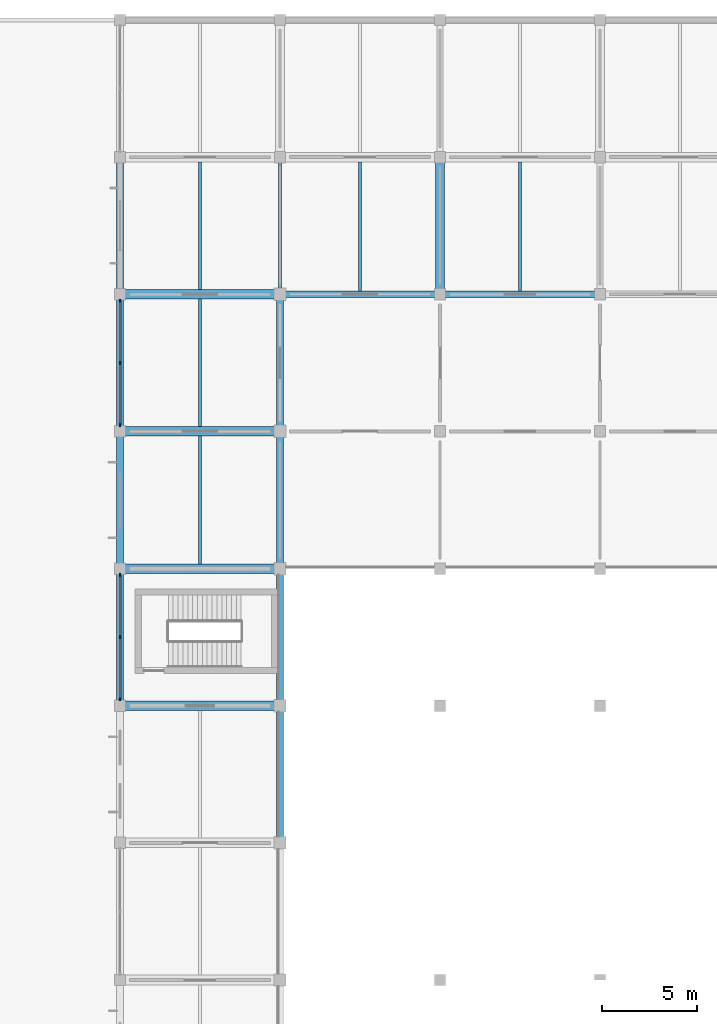
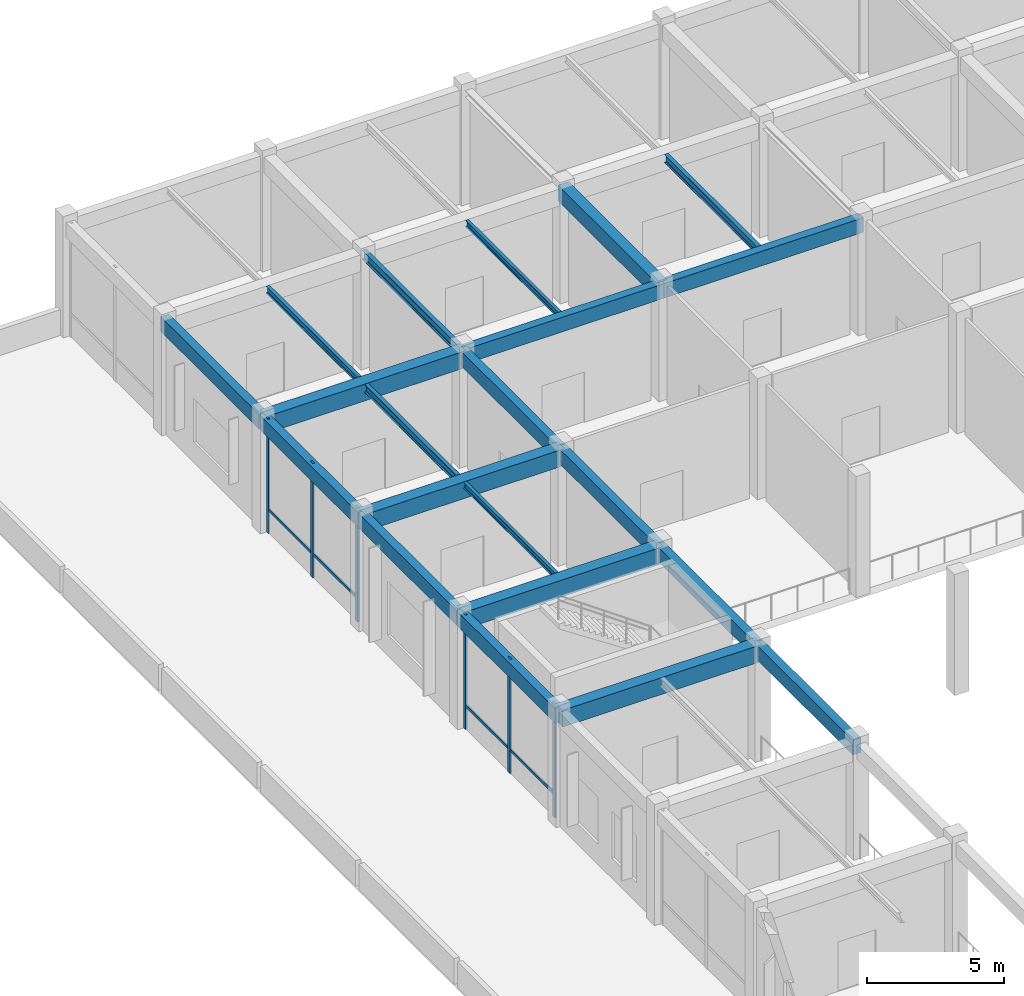
# One storey, part 5 of 38: 21 beams, 10 members, 2 elements without a shape of their own.
"""IFC4 building model written with IfcOpenShell, lengths in metres."""

from ifc_helpers import new_model, si_unit, derived_unit, direction, frame, origin, origin_2d, place, context, subcontext, project, spatial, rectangle, i_section, extrude, material, material_profile, profile_set, type_object, element, aggregate, save


model = new_model("IFC4")

# Units and contexts
model_context = context("Model", 3, precision=1e-05, world=origin(), true_north=direction((0.0, 1.0)))
body_context = subcontext(model_context, "Body", "Model", "MODEL_VIEW")
ifc_project = project(units=[si_unit("LENGTHUNIT", "METRE"), si_unit("AREAUNIT", "SQUARE_METRE"), si_unit("VOLUMEUNIT", "CUBIC_METRE"), si_unit("PLANEANGLEUNIT", "RADIAN"), si_unit("MASSUNIT", "GRAM", prefix="KILO"), derived_unit("THERMALTRANSMITTANCEUNIT", [(si_unit("MASSUNIT", "GRAM", prefix="KILO"), 1), (si_unit("TIMEUNIT", "SECOND"), -3), (si_unit("THERMODYNAMICTEMPERATUREUNIT", "KELVIN"), -1)])], contexts=[model_context])

# Site, building, storey
site_placement = place(None, origin())
site = spatial("IfcSite", under=ifc_project, at=site_placement, CompositionType="ELEMENT")
building_placement = place(site_placement, origin())
building = spatial("IfcBuilding", under=site, at=building_placement, Name="Veldstrom Oceanarium and Marine Research Institute", CompositionType="ELEMENT")
storey_placement = place(building_placement, frame((0.0, 0.0, 11.39990234375)))
storey = spatial("IfcBuildingStorey", under=building, at=storey_placement, Name="L02", CompositionType="ELEMENT", Elevation=11.39990234375)

# Curtain wall, members
ifc_material_1 = material(Name="Anodised Aluminium Framing", Category="aluminium")
curtain_wall_type = type_object("IfcCurtainWallType", Name="ARC-CW-CW06", PredefinedType="USERDEFINED", material=ifc_material_1)
curtain_wall_1_placement = place(storey_placement, origin())
curtain_wall_1 = element("IfcCurtainWall", 1, at=curtain_wall_1_placement, inside=storey, type_object=curtain_wall_type, Name="Curtain Wall CW06 CW-L02-020", ObjectType="Curtain wall", PredefinedType="USERDEFINED")
ifc_material_2 = material(Name="Anodised Aluminium Framing", Category="aluminium")
ifc_material_profile_1 = material_profile(ifc_material_2, rectangle(XDim=0.074951171875, YDim=0.179931640625, at=origin_2d()), Name="ALU-MUL-75x180")
ifc_profile_set_1 = profile_set([ifc_material_profile_1], Name="Anodised Aluminium Framing")
member_type_1 = type_object("IfcMemberType", Name="ARC-MUL-ML1", PredefinedType="MULLION", material=ifc_profile_set_1)
member_1_placement = place(storey_placement, frame((8.39990234375, 36.340087890625, 0.0), z_axis=(0.0, 0.0, 1.0), x_axis=(1.0, 0.0, 0.0)))
member_1 = element("IfcMember", 2, at=member_1_placement, type_object=member_type_1, Name="Curtain Wall Mullion CW-L02-020-MUL-1", PredefinedType="MULLION", context=body_context, shape_type="SweptSolid", body=[
    extrude(rectangle(XDim=0.074951171875, YDim=0.179931640625, at=origin_2d()), origin(), (0.0, 0.0, 1.0), 5.10009765625),
])
member_2_placement = place(storey_placement, frame((8.39990234375, 39.60009765625, 0.0), z_axis=(0.0, 0.0, 1.0), x_axis=(1.0, 0.0, 0.0)))
member_2 = element("IfcMember", 3, at=member_2_placement, type_object=member_type_1, Name="Curtain Wall Mullion CW-L02-020-MUL-2", PredefinedType="MULLION", context=body_context, shape_type="SweptSolid", body=[
    extrude(rectangle(XDim=0.074951171875, YDim=0.179931640625, at=origin_2d()), origin(), (0.0, 0.0, 1.0), 5.10009765625),
])
member_3_placement = place(storey_placement, frame((8.39990234375, 42.860107421875, 0.0), z_axis=(0.0, 0.0, 1.0), x_axis=(1.0, 0.0, 0.0)))
member_3 = element("IfcMember", 4, at=member_3_placement, type_object=member_type_1, Name="Curtain Wall Mullion CW-L02-020-MUL-3", PredefinedType="MULLION", context=body_context, shape_type="SweptSolid", body=[
    extrude(rectangle(XDim=0.074951171875, YDim=0.179931640625, at=origin_2d()), origin(), (0.0, 0.0, 1.0), 5.10009765625),
])

curtain_wall_2_placement = place(storey_placement, origin())
curtain_wall_2 = element("IfcCurtainWall", 5, at=curtain_wall_2_placement, inside=storey, type_object=curtain_wall_type, Name="Curtain Wall CW06 CW-L02-021", ObjectType="Curtain wall", PredefinedType="USERDEFINED")
member_4_placement = place(storey_placement, frame((8.39990234375, 50.739990234375, 0.0), z_axis=(0.0, 0.0, 1.0), x_axis=(1.0, 0.0, 0.0)))
member_4 = element("IfcMember", 6, at=member_4_placement, type_object=member_type_1, Name="Curtain Wall Mullion CW-L02-021-MUL-1", PredefinedType="MULLION", context=body_context, shape_type="SweptSolid", body=[
    extrude(rectangle(XDim=0.074951171875, YDim=0.179931640625, at=origin_2d()), origin(), (0.0, 0.0, 1.0), 5.10009765625),
])
member_5_placement = place(storey_placement, frame((8.39990234375, 54.0, 0.0), z_axis=(0.0, 0.0, 1.0), x_axis=(1.0, 0.0, 0.0)))
member_5 = element("IfcMember", 7, at=member_5_placement, type_object=member_type_1, Name="Curtain Wall Mullion CW-L02-021-MUL-2", PredefinedType="MULLION", context=body_context, shape_type="SweptSolid", body=[
    extrude(rectangle(XDim=0.074951171875, YDim=0.179931640625, at=origin_2d()), origin(), (0.0, 0.0, 1.0), 5.10009765625),
])
member_6_placement = place(storey_placement, frame((8.39990234375, 57.260009765625, 0.0), z_axis=(0.0, 0.0, 1.0), x_axis=(1.0, 0.0, 0.0)))
member_6 = element("IfcMember", 8, at=member_6_placement, type_object=member_type_1, Name="Curtain Wall Mullion CW-L02-021-MUL-3", PredefinedType="MULLION", context=body_context, shape_type="SweptSolid", body=[
    extrude(rectangle(XDim=0.074951171875, YDim=0.179931640625, at=origin_2d()), origin(), (0.0, 0.0, 1.0), 5.10009765625),
])

# Member
ifc_material_3 = material(Name="Anodised Aluminium Framing", Category="aluminium")
ifc_material_profile_2 = material_profile(ifc_material_3, rectangle(XDim=0.06494140625, YDim=0.1201171875, at=origin_2d()), Name="ALU-TRN-65x120")
ifc_profile_set_2 = profile_set([ifc_material_profile_2], Name="Anodised Aluminium Framing")
member_type_2 = type_object("IfcMemberType", Name="ARC-TRN-TR2", PredefinedType="USERDEFINED", material=ifc_profile_set_2)
member_7_placement = place(storey_placement, frame((8.39990234375, 36.3798828125, 1.050048828125), z_axis=(0.0, 1.0, 0.0), x_axis=(-1.0, 0.0, 0.0)))
member_7 = element("IfcMember", 9, at=member_7_placement, type_object=member_type_2, Name="Curtain Wall Transom CW-L02-020-TRN-1", ObjectType="Transom", PredefinedType="USERDEFINED", context=body_context, shape_type="SweptSolid", body=[
    extrude(rectangle(XDim=0.06494140625, YDim=0.1201171875, at=origin_2d()), origin(), (0.0, 0.0, 1.0), 3.18017578125),
])

member_8_placement = place(storey_placement, frame((8.39990234375, 39.639892578125, 1.050048828125), z_axis=(0.0, 1.0, 0.0), x_axis=(-1.0, 0.0, 0.0)))
member_8 = element("IfcMember", 10, at=member_8_placement, type_object=member_type_2, Name="Curtain Wall Transom CW-L02-020-TRN-2", ObjectType="Transom", PredefinedType="USERDEFINED", context=body_context, shape_type="SweptSolid", body=[
    extrude(rectangle(XDim=0.06494140625, YDim=0.1201171875, at=origin_2d()), origin(), (0.0, 0.0, 1.0), 3.18017578125),
])

aggregate(curtain_wall_1, [member_1, member_2, member_3, member_7, member_8])

member_9_placement = place(storey_placement, frame((8.39990234375, 50.780029296875, 1.050048828125), z_axis=(0.0, 1.0, 0.0), x_axis=(-1.0, 0.0, 0.0)))
member_9 = element("IfcMember", 11, at=member_9_placement, type_object=member_type_2, Name="Curtain Wall Transom CW-L02-021-TRN-1", ObjectType="Transom", PredefinedType="USERDEFINED", context=body_context, shape_type="SweptSolid", body=[
    extrude(rectangle(XDim=0.06494140625, YDim=0.1201171875, at=origin_2d()), origin(), (0.0, 0.0, 1.0), 3.179931640625),
])

member_10_placement = place(storey_placement, frame((8.39990234375, 54.0400390625, 1.050048828125), z_axis=(0.0, 1.0, 0.0), x_axis=(-1.0, 0.0, 0.0)))
member_10 = element("IfcMember", 12, at=member_10_placement, type_object=member_type_2, Name="Curtain Wall Transom CW-L02-021-TRN-2", ObjectType="Transom", PredefinedType="USERDEFINED", context=body_context, shape_type="SweptSolid", body=[
    extrude(rectangle(XDim=0.06494140625, YDim=0.1201171875, at=origin_2d()), origin(), (0.0, 0.0, 1.0), 3.179931640625),
])

aggregate(curtain_wall_2, [member_4, member_5, member_6, member_9, member_10])

# Beams
ifc_material_4 = material(Name="Concrete C40/50", Category="concrete")
ifc_material_profile_3 = material_profile(ifc_material_4, rectangle(XDim=0.5, YDim=0.75, at=origin_2d()), Name="RC-BM-500x750")
ifc_profile_set_3 = profile_set([ifc_material_profile_3], Name="Concrete C40/50")
beam_type_1 = type_object("IfcBeamType", Name="STR-BM-B03", PredefinedType="BEAM", material=ifc_profile_set_3)
for number, where, z_axis, x_axis, name in (
    (13, (8.39990234375, 36.0, 4.72021484375), (1.0, 0.0, 0.0), (0.0, 1.0, 0.0), "Primary Beam B03 L02-1495"),
    (14, (8.39990234375, 43.199951171875, 4.72021484375), (1.0, 0.0, 0.0), (0.0, 1.0, 0.0), "Primary Beam B03 L02-1496"),
    (15, (8.39990234375, 50.39990234375, 4.72021484375), (1.0, 0.0, 0.0), (0.0, 1.0, 0.0), "Primary Beam B03 L02-1497"),
    (16, (8.39990234375, 57.60009765625, 4.72021484375), (1.0, 0.0, 0.0), (0.0, 1.0, 0.0), "Primary Beam B03 L02-1498"),
):
    element("IfcBeam", number, at=place(storey_placement, frame(where, z_axis=z_axis, x_axis=x_axis)), inside=storey, type_object=beam_type_1, Name=name, PredefinedType="BEAM", context=body_context, shape_type="SweptSolid", body=[
        extrude(rectangle(XDim=0.5, YDim=0.75, at=origin_2d()), origin(), (0.0, 0.0, 1.0), 8.400146484375),
    ])
ifc_material_5 = material(Name="Concrete C40/50", Category="concrete")
ifc_material_profile_4 = material_profile(ifc_material_5, rectangle(XDim=0.449951171875, YDim=0.699951171875, at=origin_2d()), Name="RC-BM-450x700")
ifc_profile_set_4 = profile_set([ifc_material_profile_4], Name="Concrete C40/50")
beam_type_2 = type_object("IfcBeamType", Name="STR-BM-B04", PredefinedType="BEAM", material=ifc_profile_set_4)
beam_1_placement = place(storey_placement, frame((25.199951171875, 57.60009765625, 4.7451171875), z_axis=(0.0, 1.0, 0.0), x_axis=(-1.0, 0.0, 0.0)))
element("IfcBeam", 17, at=beam_1_placement, inside=storey, type_object=beam_type_2, Name="Primary Beam B04 L02-1639", PredefinedType="BEAM", context=body_context, shape_type="SweptSolid", body=[
    extrude(rectangle(XDim=0.449951171875, YDim=0.699951171875, at=origin_2d()), origin(), (0.0, 0.0, 1.0), 7.199951171875),
])
ifc_material_6 = material(Name="Steel S355JR", Category="steel")
ifc_material_profile_5 = material_profile(ifc_material_6, i_section(OverallWidth=0.179931640625, OverallDepth=0.39990234375, WebThickness=0.008544921875, FlangeThickness=0.013427734375, FilletRadius=0.02099609375, at=origin_2d()), Name="IPE 400")
ifc_profile_set_5 = profile_set([ifc_material_profile_5], Name="Steel S355JR")
beam_type_3 = type_object("IfcBeamType", Name="STR-BM-SB8", PredefinedType="BEAM", material=ifc_profile_set_5)
beam_2_placement = place(storey_placement, frame((16.800048828125, 57.60009765625, 4.89501953125), z_axis=(0.0, 1.0, 0.0), x_axis=(-1.0, 0.0, 0.0)))
element("IfcBeam", 18, at=beam_2_placement, inside=storey, type_object=beam_type_3, Name="Steel Tie Beam SB8 L02-1635", PredefinedType="BEAM", context=body_context, shape_type="SweptSolid", body=[
    extrude(i_section(OverallWidth=0.179931640625, OverallDepth=0.39990234375, WebThickness=0.008544921875, FlangeThickness=0.013427734375, FilletRadius=0.02099609375, at=origin_2d()), origin(), (0.0, 0.0, 1.0), 7.199951171875),
])
ifc_material_7 = material(Name="Steel S355JR", Category="steel")
ifc_material_profile_6 = material_profile(ifc_material_7, i_section(OverallWidth=0.169921875, OverallDepth=0.360107421875, WebThickness=0.008056640625, FlangeThickness=0.0126953125, FilletRadius=0.01806640625, at=origin_2d()), Name="IPE 360")
ifc_profile_set_6 = profile_set([ifc_material_profile_6], Name="Steel S355JR")
beam_type_4 = type_object("IfcBeamType", Name="STR-JST-SJ1", PredefinedType="JOIST", material=ifc_profile_set_6)
beam_3_placement = place(storey_placement, frame((12.60009765625, 50.64990234375, 4.9150390625), z_axis=(0.0, 1.0, 0.0), x_axis=(-1.0, 0.0, 0.0)))
element("IfcBeam", 19, at=beam_3_placement, inside=storey, type_object=beam_type_4, Name="Secondary Joist SJ1 L02-1747", PredefinedType="JOIST", context=body_context, shape_type="SweptSolid", body=[
    extrude(i_section(OverallWidth=0.169921875, OverallDepth=0.360107421875, WebThickness=0.008056640625, FlangeThickness=0.0126953125, FilletRadius=0.01806640625, at=origin_2d()), origin(), (0.0, 0.0, 1.0), 6.7001953125),
])
beam_4_placement = place(storey_placement, frame((29.39990234375, 57.77490234375, 4.9150390625), z_axis=(0.0, 1.0, 0.0), x_axis=(-1.0, 0.0, 0.0)))
element("IfcBeam", 20, at=beam_4_placement, inside=storey, type_object=beam_type_4, Name="Secondary Joist SJ1 L02-1756", PredefinedType="JOIST", context=body_context, shape_type="SweptSolid", body=[
    extrude(i_section(OverallWidth=0.169921875, OverallDepth=0.360107421875, WebThickness=0.008056640625, FlangeThickness=0.0126953125, FilletRadius=0.01806640625, at=origin_2d()), origin(), (0.0, 0.0, 1.0), 6.775146484375),
])
ifc_material_8 = material(Name="Steel S355JR", Category="steel")
ifc_material_profile_7 = material_profile(ifc_material_8, i_section(OverallWidth=0.14990234375, OverallDepth=0.300048828125, WebThickness=0.007080078125, FlangeThickness=0.0107421875, FilletRadius=0.014892578125, at=origin_2d()), Name="IPE 300")
ifc_profile_set_7 = profile_set([ifc_material_profile_7], Name="Steel S355JR")
beam_type_5 = type_object("IfcBeamType", Name="STR-JST-SJ2", PredefinedType="JOIST", material=ifc_profile_set_7)
beam_5_placement = place(storey_placement, frame((12.60009765625, 57.85009765625, 4.945068359375), z_axis=(0.0, 1.0, 0.0), x_axis=(-1.0, 0.0, 0.0)))
element("IfcBeam", 21, at=beam_5_placement, inside=storey, type_object=beam_type_5, Name="Secondary Joist SJ2 L02-1748", PredefinedType="JOIST", context=body_context, shape_type="SweptSolid", body=[
    extrude(i_section(OverallWidth=0.14990234375, OverallDepth=0.300048828125, WebThickness=0.007080078125, FlangeThickness=0.0107421875, FilletRadius=0.014892578125, at=origin_2d()), origin(), (0.0, 0.0, 1.0), 6.699951171875),
])
ifc_material_9 = material(Name="Steel S355JR", Category="steel")
ifc_material_profile_8 = material_profile(ifc_material_9, i_section(OverallWidth=0.135009765625, OverallDepth=0.27001953125, WebThickness=0.006591796875, FlangeThickness=0.01025390625, FilletRadius=0.014892578125, at=origin_2d()), Name="IPE 270")
ifc_profile_set_8 = profile_set([ifc_material_profile_8], Name="Steel S355JR")
beam_type_6 = type_object("IfcBeamType", Name="STR-JST-SJ3", PredefinedType="JOIST", material=ifc_profile_set_8)
beam_6_placement = place(storey_placement, frame((12.60009765625, 43.449951171875, 4.960205078125), z_axis=(0.0, 1.0, 0.0), x_axis=(-1.0, 0.0, 0.0)))
element("IfcBeam", 22, at=beam_6_placement, inside=storey, type_object=beam_type_6, Name="Secondary Joist SJ3 L02-1746", PredefinedType="JOIST", context=body_context, shape_type="SweptSolid", body=[
    extrude(i_section(OverallWidth=0.135009765625, OverallDepth=0.27001953125, WebThickness=0.006591796875, FlangeThickness=0.01025390625, FilletRadius=0.014892578125, at=origin_2d()), origin(), (0.0, 0.0, 1.0), 6.699951171875),
])
beam_7_placement = place(storey_placement, frame((21.0, 57.77490234375, 4.960205078125), z_axis=(0.0, 1.0, 0.0), x_axis=(-1.0, 0.0, 0.0)))
element("IfcBeam", 23, at=beam_7_placement, inside=storey, type_object=beam_type_6, Name="Secondary Joist SJ3 L02-1752", PredefinedType="JOIST", context=body_context, shape_type="SweptSolid", body=[
    extrude(i_section(OverallWidth=0.135009765625, OverallDepth=0.27001953125, WebThickness=0.006591796875, FlangeThickness=0.01025390625, FilletRadius=0.014892578125, at=origin_2d()), origin(), (0.0, 0.0, 1.0), 6.775146484375),
])
ifc_material_10 = material(Name="Concrete C40/50", Category="concrete")
ifc_material_profile_9 = material_profile(ifc_material_10, rectangle(XDim=0.35009765625, YDim=0.64990234375, at=origin_2d()), Name="RC-SPN-350x650")
ifc_profile_set_9 = profile_set([ifc_material_profile_9], Name="Concrete C40/50")
beam_type_7 = type_object("IfcBeamType", Name="STR-SPN-SP1", PredefinedType="SPANDREL", material=ifc_profile_set_9)
beam_8_placement = place(storey_placement, frame((16.800048828125, 57.60009765625, 4.77001953125), z_axis=(1.0, 0.0, 0.0), x_axis=(0.0, 1.0, 0.0)))
element("IfcBeam", 24, at=beam_8_placement, inside=storey, type_object=beam_type_7, Name="Perimeter Spandrel SPB1 L02-1504", PredefinedType="SPANDREL", context=body_context, shape_type="SweptSolid", body=[
    extrude(rectangle(XDim=0.35009765625, YDim=0.64990234375, at=origin_2d()), origin(), (0.0, 0.0, 1.0), 8.39990234375),
])
beam_9_placement = place(storey_placement, frame((25.199951171875, 57.60009765625, 4.77001953125), z_axis=(1.0, 0.0, 0.0), x_axis=(0.0, 1.0, 0.0)))
element("IfcBeam", 25, at=beam_9_placement, inside=storey, type_object=beam_type_7, Name="Perimeter Spandrel SPB1 L02-1510", PredefinedType="SPANDREL", context=body_context, shape_type="SweptSolid", body=[
    extrude(rectangle(XDim=0.35009765625, YDim=0.64990234375, at=origin_2d()), origin(), (0.0, 0.0, 1.0), 8.400146484375),
])
for number, where, z_axis, x_axis, name in (
    (26, (8.39990234375, 36.0, 4.77001953125), (0.0, 1.0, 0.0), (-1.0, 0.0, 0.0), "Perimeter Spandrel SPB1 L02-1622"),
    (27, (8.39990234375, 43.199951171875, 4.77001953125), (0.0, 1.0, 0.0), (-1.0, 0.0, 0.0), "Perimeter Spandrel SPB1 L02-1623"),
):
    element("IfcBeam", number, at=place(storey_placement, frame(where, z_axis=z_axis, x_axis=x_axis)), inside=storey, type_object=beam_type_7, Name=name, PredefinedType="SPANDREL", context=body_context, shape_type="SweptSolid", body=[
        extrude(rectangle(XDim=0.35009765625, YDim=0.64990234375, at=origin_2d()), origin(), (0.0, 0.0, 1.0), 7.199951171875),
    ])
beam_10_placement = place(storey_placement, frame((8.39990234375, 50.39990234375, 4.77001953125), z_axis=(0.0, 1.0, 0.0), x_axis=(-1.0, 0.0, 0.0)))
element("IfcBeam", 28, at=beam_10_placement, inside=storey, type_object=beam_type_7, Name="Perimeter Spandrel SPB1 L02-1624", PredefinedType="SPANDREL", context=body_context, shape_type="SweptSolid", body=[
    extrude(rectangle(XDim=0.35009765625, YDim=0.64990234375, at=origin_2d()), origin(), (0.0, 0.0, 1.0), 7.2001953125),
])
for number, where, z_axis, x_axis, name in (
    (29, (8.39990234375, 57.60009765625, 4.77001953125), (0.0, 1.0, 0.0), (-1.0, 0.0, 0.0), "Perimeter Spandrel SPB1 L02-1625"),
    (30, (16.800048828125, 28.800048828125, 4.77001953125), (0.0, 1.0, 0.0), (-1.0, 0.0, 0.0), "Perimeter Spandrel SPB1 L02-1631"),
    (31, (16.800048828125, 36.0, 4.77001953125), (0.0, 1.0, 0.0), (-1.0, 0.0, 0.0), "Perimeter Spandrel SPB1 L02-1632"),
    (32, (16.800048828125, 43.199951171875, 4.77001953125), (0.0, 1.0, 0.0), (-1.0, 0.0, 0.0), "Perimeter Spandrel SPB1 L02-1633"),
):
    element("IfcBeam", number, at=place(storey_placement, frame(where, z_axis=z_axis, x_axis=x_axis)), inside=storey, type_object=beam_type_7, Name=name, PredefinedType="SPANDREL", context=body_context, shape_type="SweptSolid", body=[
        extrude(rectangle(XDim=0.35009765625, YDim=0.64990234375, at=origin_2d()), origin(), (0.0, 0.0, 1.0), 7.199951171875),
    ])
beam_11_placement = place(storey_placement, frame((16.800048828125, 50.39990234375, 4.77001953125), z_axis=(0.0, 1.0, 0.0), x_axis=(-1.0, 0.0, 0.0)))
element("IfcBeam", 33, at=beam_11_placement, inside=storey, type_object=beam_type_7, Name="Perimeter Spandrel SPB1 L02-1634", PredefinedType="SPANDREL", context=body_context, shape_type="SweptSolid", body=[
    extrude(rectangle(XDim=0.35009765625, YDim=0.64990234375, at=origin_2d()), origin(), (0.0, 0.0, 1.0), 7.2001953125),
])

save(model, "model.ifc")
